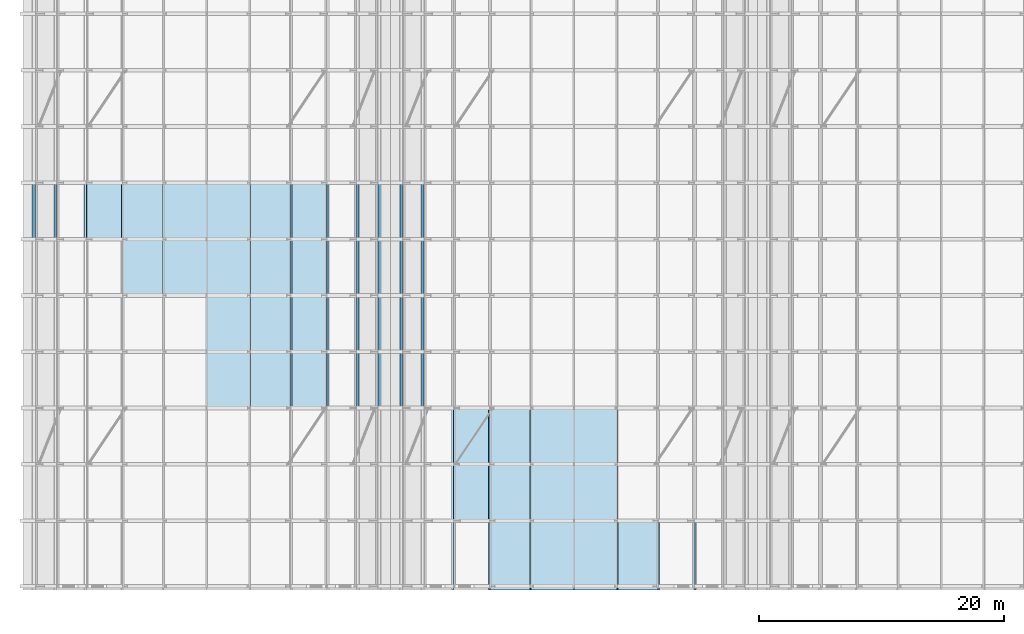
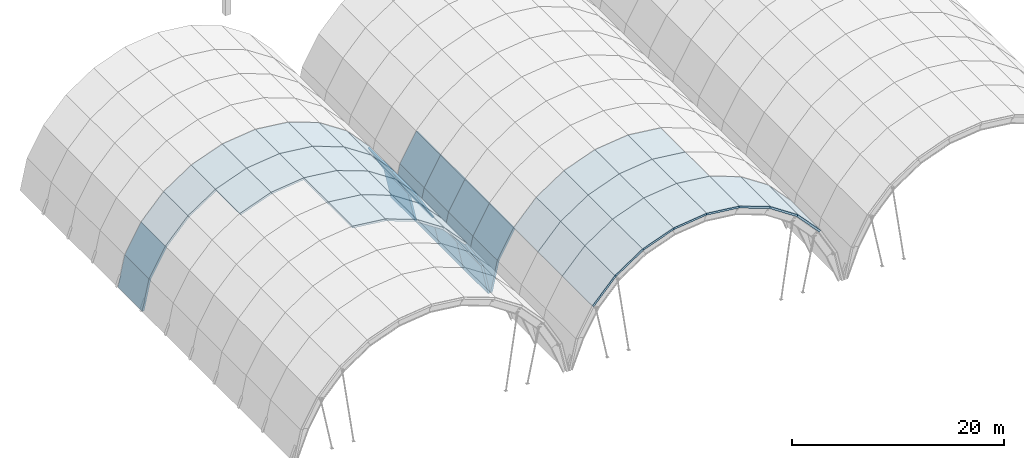
# One storey, part 20 of 47: 58 slabs, 2 elements without a shape of their own.
"""IFC4 building model written with IfcOpenShell, lengths in metres."""

from ifc_helpers import new_model, si_unit, direction, frame, origin, place, context, subcontext, project, spatial, polyline, outline, extrude, material, layer, layer_set, type_object, element, aggregate, save


model = new_model("IFC4")

# Units and contexts
model_context = context("Model", 3, precision=1e-05, world=origin(), true_north=direction((0.0, 1.0)))
body_context = subcontext(model_context, "Body", "Model", "MODEL_VIEW")
ifc_project = project(units=[si_unit("LENGTHUNIT", "METRE"), si_unit("AREAUNIT", "SQUARE_METRE"), si_unit("VOLUMEUNIT", "CUBIC_METRE"), si_unit("PLANEANGLEUNIT", "RADIAN"), si_unit("MASSUNIT", "GRAM", prefix="KILO")], contexts=[model_context])

# Site, building, storey
site_placement = place(None, origin())
site = spatial("IfcSite", under=ifc_project, at=site_placement, CompositionType="ELEMENT")
building_placement = place(site_placement, origin())
building = spatial("IfcBuilding", under=site, at=building_placement, Name="Muzn Square Opera House", CompositionType="ELEMENT")
storey_placement = place(building_placement, frame((0.0, 0.0, 31.0)))
storey = spatial("IfcBuildingStorey", under=building, at=storey_placement, Name="RF-1", CompositionType="ELEMENT", Elevation=31.0)

# Roof, slabs
ifc_material_1 = material(Name="Patina green copper-zinc standing seam", Category="metal")
roof_type = type_object("IfcRoofType", Name="Barrel Vault Roof Assembly", PredefinedType="BARREL_ROOF", material=ifc_material_1)
roof_1_placement = place(storey_placement, origin())
roof_1 = element("IfcRoof", 1, at=roof_1_placement, inside=storey, type_object=roof_type, Name="West Salon Barrel Vault Roof Assembly", PredefinedType="BARREL_ROOF")
ifc_material_2 = material(Name="Concrete C40/50", Category="concrete")
ifc_layer = layer(ifc_material_2, 0.219970703125, Name="Concrete C40/50", Category="concrete")
ifc_layer_set = layer_set([ifc_layer], Name="Concrete C40/50")
slab_type = type_object("IfcSlabType", Name="Barrel Vault Roof Slab 220mm", PredefinedType="ROOF", material=ifc_layer_set)
slab_1_placement = place(storey_placement, frame((58.0, 35.800048828125, 0.419921875), z_axis=(0.116958923267, 0.0, 0.993136753055), x_axis=(0.993136753055, 0.0, -0.116958923267)))
slab_1 = element("IfcSlab", 2, at=slab_1_placement, type_object=slab_type, Name="Barrel Vault Roof Deck Strip V1-03-F06", PredefinedType="ROOF", context=body_context, shape_type="SweptSolid", body=[
    extrude(outline(polyline([(0.0, 0.0), (3.611210410065154, 0.0), (3.611210410065154, 4.599853515625), (0.0, 4.599853515625), (0.0, 0.0)])), origin(), (0.0, 0.0, -1.0), 0.219970703125),
])
slab_2_placement = place(storey_placement, frame((61.58642578125, 35.800048828125, -0.00244140625), z_axis=(0.344922006795, 0.0, 0.938631348948), x_axis=(0.938631348948, 0.0, -0.344922006795)))
slab_2 = element("IfcSlab", 3, at=slab_2_placement, type_object=slab_type, Name="Barrel Vault Roof Deck Strip V1-03-F07", PredefinedType="ROOF", context=body_context, shape_type="SweptSolid", body=[
    extrude(outline(polyline([(0.0, 0.0), (3.6112670233072075, 0.0), (3.6112670233072075, 4.599853515625), (0.0, 4.599853515625), (0.0, 0.0)])), origin(), (0.0, 0.0, -1.0), 0.219970703125),
])
slab_3_placement = place(storey_placement, frame((64.97607421875, 35.800048828125, -1.248046875), z_axis=(0.553701293488, 0.0, 0.832715364089), x_axis=(0.832715364089, 0.0, -0.553701293488)))
slab_3 = element("IfcSlab", 4, at=slab_3_placement, type_object=slab_type, Name="Barrel Vault Roof Deck Strip V1-03-F08", PredefinedType="ROOF", context=body_context, shape_type="SweptSolid", body=[
    extrude(outline(polyline([(0.0, 0.0), (3.611174007116638, 0.0), (3.611174007116638, 4.599853515625), (0.0, 4.599853515625), (0.0, 0.0)])), origin(), (0.0, 0.0, -1.0), 0.219970703125),
])
slab_4_placement = place(storey_placement, frame((67.983154296875, 35.800048828125, -3.24755859375), z_axis=(0.732198498352, 0.0, 0.681091300055), x_axis=(0.681091300055, 0.0, -0.732198498352)))
slab_4 = element("IfcSlab", 5, at=slab_4_placement, type_object=slab_type, Name="Barrel Vault Roof Deck Strip V1-03-F09", PredefinedType="ROOF", context=body_context, shape_type="SweptSolid", body=[
    extrude(outline(polyline([(0.0, 0.0), (3.611434761647482, 0.0), (3.611434761647482, 4.599853515625), (0.0, 4.599853515625), (0.0, 0.0)])), origin(), (0.0, 0.0, -1.0), 0.219970703125),
])
slab_5_placement = place(storey_placement, frame((70.44287109375, 35.800048828125, -5.891845703125), z_axis=(0.870542692247, 0.0, 0.492092898724), x_axis=(0.492092898724, 0.0, -0.870542692247)))
slab_5 = element("IfcSlab", 6, at=slab_5_placement, type_object=slab_type, Name="Barrel Vault Roof Deck Strip V1-03-F10", PredefinedType="ROOF", context=body_context, shape_type="SweptSolid", body=[
    extrude(outline(polyline([(0.0, 0.0), (3.611309193818898, 0.0), (3.611309193818898, 4.599853515625), (0.0, 4.599853515625), (0.0, 0.0)])), origin(), (0.0, 0.0, -1.0), 0.219970703125),
])
slab_6_placement = place(storey_placement, frame((72.219970703125, 35.800048828125, -9.03564453125), z_axis=(0.97702538959, 0.0, 0.213122941272), x_axis=(0.213122941272, 0.0, -0.97702538959)))
slab_6 = element("IfcSlab", 7, at=slab_6_placement, type_object=slab_type, Name="Barrel Vault Roof Deck Strip V1-03-F11", PredefinedType="ROOF", context=body_context, shape_type="SweptSolid", body=[
    extrude(outline(polyline([(0.0, 0.0), (3.5523162058829336, 0.0), (3.5523162058829336, 4.599853515625), (0.0, 4.599853515625), (0.0, 0.0)])), origin(), (0.0, 0.0, -1.0), 0.219970703125),
])
slab_7_placement = place(storey_placement, frame((58.0, 40.39990234375, 0.419921875), z_axis=(0.116958923267, 0.0, 0.993136753055), x_axis=(0.993136753055, 0.0, -0.116958923267)))
slab_7 = element("IfcSlab", 8, at=slab_7_placement, type_object=slab_type, Name="Barrel Vault Roof Deck Strip V1-04-F06", PredefinedType="ROOF", context=body_context, shape_type="SweptSolid", body=[
    extrude(outline(polyline([(0.0, 0.0), (3.611210410065154, 0.0), (3.611210410065154, 4.60009765625), (0.0, 4.60009765625), (0.0, 0.0)])), origin(), (0.0, 0.0, -1.0), 0.219970703125),
])
slab_8_placement = place(storey_placement, frame((61.58642578125, 40.39990234375, -0.00244140625), z_axis=(0.344922006795, 0.0, 0.938631348948), x_axis=(0.938631348948, 0.0, -0.344922006795)))
slab_8 = element("IfcSlab", 9, at=slab_8_placement, type_object=slab_type, Name="Barrel Vault Roof Deck Strip V1-04-F07", PredefinedType="ROOF", context=body_context, shape_type="SweptSolid", body=[
    extrude(outline(polyline([(0.0, 0.0), (3.6112670233072075, 0.0), (3.6112670233072075, 4.60009765625), (0.0, 4.60009765625), (0.0, 0.0)])), origin(), (0.0, 0.0, -1.0), 0.219970703125),
])
slab_9_placement = place(storey_placement, frame((64.97607421875, 40.39990234375, -1.248046875), z_axis=(0.553701293488, 0.0, 0.832715364089), x_axis=(0.832715364089, 0.0, -0.553701293488)))
slab_9 = element("IfcSlab", 10, at=slab_9_placement, type_object=slab_type, Name="Barrel Vault Roof Deck Strip V1-04-F08", PredefinedType="ROOF", context=body_context, shape_type="SweptSolid", body=[
    extrude(outline(polyline([(0.0, 0.0), (3.611174007116638, 0.0), (3.611174007116638, 4.600097656249999), (0.0, 4.600097656249999), (0.0, 0.0)])), origin(), (0.0, 0.0, -1.0), 0.219970703125),
])
slab_10_placement = place(storey_placement, frame((67.983154296875, 40.39990234375, -3.24755859375), z_axis=(0.732198498352, 0.0, 0.681091300055), x_axis=(0.681091300055, 0.0, -0.732198498352)))
slab_10 = element("IfcSlab", 11, at=slab_10_placement, type_object=slab_type, Name="Barrel Vault Roof Deck Strip V1-04-F09", PredefinedType="ROOF", context=body_context, shape_type="SweptSolid", body=[
    extrude(outline(polyline([(0.0, 0.0), (3.611434761647482, 0.0), (3.611434761647482, 4.600097656250001), (0.0, 4.600097656250001), (0.0, 0.0)])), origin(), (0.0, 0.0, -1.0), 0.219970703125),
])
slab_11_placement = place(storey_placement, frame((70.44287109375, 40.39990234375, -5.891845703125), z_axis=(0.870542692247, 0.0, 0.492092898724), x_axis=(0.492092898724, 0.0, -0.870542692247)))
slab_11 = element("IfcSlab", 12, at=slab_11_placement, type_object=slab_type, Name="Barrel Vault Roof Deck Strip V1-04-F10", PredefinedType="ROOF", context=body_context, shape_type="SweptSolid", body=[
    extrude(outline(polyline([(0.0, 0.0), (3.611309193818898, 0.0), (3.611309193818898, 4.60009765625), (0.0, 4.60009765625), (0.0, 0.0)])), origin(), (0.0, 0.0, -1.0), 0.219970703125),
])
slab_12_placement = place(storey_placement, frame((72.219970703125, 40.39990234375, -9.03564453125), z_axis=(0.97702538959, 0.0, 0.213122941272), x_axis=(0.213122941272, 0.0, -0.97702538959)))
slab_12 = element("IfcSlab", 13, at=slab_12_placement, type_object=slab_type, Name="Barrel Vault Roof Deck Strip V1-04-F11", PredefinedType="ROOF", context=body_context, shape_type="SweptSolid", body=[
    extrude(outline(polyline([(0.0, 0.0), (3.5523162058829336, 0.0), (3.5523162058829336, 4.60009765625), (0.0, 4.60009765625), (0.0, 0.0)])), origin(), (0.0, 0.0, -1.0), 0.219970703125),
])
slab_13_placement = place(storey_placement, frame((54.41357421875, 45.0, -0.00244140625), z_axis=(-0.344922006795, 0.0, 0.938631348948), x_axis=(0.0, 1.0, 0.0)))
slab_13 = element("IfcSlab", 14, at=slab_13_placement, type_object=slab_type, Name="Barrel Vault Roof Deck Strip V1-05-F04", PredefinedType="ROOF", context=body_context, shape_type="SweptSolid", body=[
    extrude(outline(polyline([(0.0, 3.6112670233072075), (0.0, 0.0), (4.60009765625, 0.0), (4.60009765625, 3.6112670233072075), (0.0, 3.6112670233072075)])), origin(), (0.0, 0.0, -1.0), 0.219970703125),
])
slab_14_placement = place(storey_placement, frame((58.0, 45.0, 0.419921875), z_axis=(-0.116958923267, 0.0, 0.993136753055), x_axis=(0.0, 1.0, 0.0)))
slab_14 = element("IfcSlab", 15, at=slab_14_placement, type_object=slab_type, Name="Barrel Vault Roof Deck Strip V1-05-F05", PredefinedType="ROOF", context=body_context, shape_type="SweptSolid", body=[
    extrude(outline(polyline([(0.0, 3.611210410065154), (0.0, 0.0), (4.60009765625, 0.0), (4.60009765625, 3.611210410065154), (0.0, 3.611210410065154)])), origin(), (0.0, 0.0, -1.0), 0.219970703125),
])
slab_15_placement = place(storey_placement, frame((58.0, 45.0, 0.419921875), z_axis=(0.116958923267, 0.0, 0.993136753055), x_axis=(0.993136753055, 0.0, -0.116958923267)))
slab_15 = element("IfcSlab", 16, at=slab_15_placement, type_object=slab_type, Name="Barrel Vault Roof Deck Strip V1-05-F06", PredefinedType="ROOF", context=body_context, shape_type="SweptSolid", body=[
    extrude(outline(polyline([(0.0, 0.0), (3.611210410065154, 0.0), (3.611210410065154, 4.60009765625), (0.0, 4.60009765625), (0.0, 0.0)])), origin(), (0.0, 0.0, -1.0), 0.219970703125),
])
slab_16_placement = place(storey_placement, frame((61.58642578125, 45.0, -0.00244140625), z_axis=(0.344922006795, 0.0, 0.938631348948), x_axis=(0.938631348948, 0.0, -0.344922006795)))
slab_16 = element("IfcSlab", 17, at=slab_16_placement, type_object=slab_type, Name="Barrel Vault Roof Deck Strip V1-05-F07", PredefinedType="ROOF", context=body_context, shape_type="SweptSolid", body=[
    extrude(outline(polyline([(0.0, 0.0), (3.6112670233072075, 0.0), (3.6112670233072075, 4.60009765625), (0.0, 4.60009765625), (0.0, 0.0)])), origin(), (0.0, 0.0, -1.0), 0.219970703125),
])
slab_17_placement = place(storey_placement, frame((64.97607421875, 45.0, -1.248046875), z_axis=(0.553701293488, 0.0, 0.832715364089), x_axis=(0.832715364089, 0.0, -0.553701293488)))
slab_17 = element("IfcSlab", 18, at=slab_17_placement, type_object=slab_type, Name="Barrel Vault Roof Deck Strip V1-05-F08", PredefinedType="ROOF", context=body_context, shape_type="SweptSolid", body=[
    extrude(outline(polyline([(0.0, 0.0), (3.611174007116638, 0.0), (3.611174007116638, 4.600097656249999), (0.0, 4.600097656249999), (0.0, 0.0)])), origin(), (0.0, 0.0, -1.0), 0.219970703125),
])
slab_18_placement = place(storey_placement, frame((67.983154296875, 45.0, -3.24755859375), z_axis=(0.732198498352, 0.0, 0.681091300055), x_axis=(0.681091300055, 0.0, -0.732198498352)))
slab_18 = element("IfcSlab", 19, at=slab_18_placement, type_object=slab_type, Name="Barrel Vault Roof Deck Strip V1-05-F09", PredefinedType="ROOF", context=body_context, shape_type="SweptSolid", body=[
    extrude(outline(polyline([(0.0, 0.0), (3.611434761647482, 0.0), (3.611434761647482, 4.600097656250001), (0.0, 4.600097656250001), (0.0, 0.0)])), origin(), (0.0, 0.0, -1.0), 0.219970703125),
])
slab_19_placement = place(storey_placement, frame((70.44287109375, 45.0, -5.891845703125), z_axis=(0.870542692247, 0.0, 0.492092898724), x_axis=(0.492092898724, 0.0, -0.870542692247)))
slab_19 = element("IfcSlab", 20, at=slab_19_placement, type_object=slab_type, Name="Barrel Vault Roof Deck Strip V1-05-F10", PredefinedType="ROOF", context=body_context, shape_type="SweptSolid", body=[
    extrude(outline(polyline([(0.0, 0.0), (3.611309193818898, 0.0), (3.611309193818898, 4.60009765625), (0.0, 4.60009765625), (0.0, 0.0)])), origin(), (0.0, 0.0, -1.0), 0.219970703125),
])
slab_20_placement = place(storey_placement, frame((72.219970703125, 45.0, -9.03564453125), z_axis=(0.97702538959, 0.0, 0.213122941272), x_axis=(0.213122941272, 0.0, -0.97702538959)))
slab_20 = element("IfcSlab", 21, at=slab_20_placement, type_object=slab_type, Name="Barrel Vault Roof Deck Strip V1-05-F11", PredefinedType="ROOF", context=body_context, shape_type="SweptSolid", body=[
    extrude(outline(polyline([(0.0, 0.0), (3.5523162058829336, 0.0), (3.5523162058829336, 4.60009765625), (0.0, 4.60009765625), (0.0, 0.0)])), origin(), (0.0, 0.0, -1.0), 0.219970703125),
])
slab_21_placement = place(storey_placement, frame((43.780029296875, 49.60009765625, -9.03564453125), z_axis=(-0.97702538959, 0.0, 0.213122941272), x_axis=(0.0, 1.0, 0.0)))
slab_21 = element("IfcSlab", 22, at=slab_21_placement, type_object=slab_type, Name="Barrel Vault Roof Deck Strip V1-06-F00", PredefinedType="ROOF", context=body_context, shape_type="SweptSolid", body=[
    extrude(outline(polyline([(0.0, 3.5523162058829336), (0.0, 0.0), (4.599853515625, 0.0), (4.599853515625, 3.5523162058829336), (0.0, 3.5523162058829336)])), origin(), (0.0, 0.0, -1.0), 0.219970703125),
])
slab_22_placement = place(storey_placement, frame((45.55712890625, 49.60009765625, -5.891845703125), z_axis=(-0.870542692247, 0.0, 0.492092898724), x_axis=(0.0, 1.0, 0.0)))
slab_22 = element("IfcSlab", 23, at=slab_22_placement, type_object=slab_type, Name="Barrel Vault Roof Deck Strip V1-06-F01", PredefinedType="ROOF", context=body_context, shape_type="SweptSolid", body=[
    extrude(outline(polyline([(0.0, 3.611309193818898), (0.0, 0.0), (4.599853515625, 0.0), (4.599853515625, 3.611309193818898), (0.0, 3.611309193818898)])), origin(), (0.0, 0.0, -1.0), 0.219970703125),
])
slab_23_placement = place(storey_placement, frame((48.016845703125, 49.60009765625, -3.24755859375), z_axis=(-0.732198498352, 0.0, 0.681091300055), x_axis=(0.0, 1.0, 0.0)))
slab_23 = element("IfcSlab", 24, at=slab_23_placement, type_object=slab_type, Name="Barrel Vault Roof Deck Strip V1-06-F02", PredefinedType="ROOF", context=body_context, shape_type="SweptSolid", body=[
    extrude(outline(polyline([(0.0, 3.6114347616474816), (0.0, 0.0), (4.599853515625, 0.0), (4.599853515625, 3.6114347616474816), (0.0, 3.6114347616474816)])), origin(), (0.0, 0.0, -1.0), 0.219970703125),
])
slab_24_placement = place(storey_placement, frame((51.02392578125, 49.60009765625, -1.248046875), z_axis=(-0.553701293488, 0.0, 0.832715364089), x_axis=(0.0, 1.0, 0.0)))
slab_24 = element("IfcSlab", 25, at=slab_24_placement, type_object=slab_type, Name="Barrel Vault Roof Deck Strip V1-06-F03", PredefinedType="ROOF", context=body_context, shape_type="SweptSolid", body=[
    extrude(outline(polyline([(0.0, 3.6111740071166376), (0.0, 0.0), (4.599853515625, 0.0), (4.599853515625, 3.6111740071166376), (0.0, 3.6111740071166376)])), origin(), (0.0, 0.0, -1.0), 0.219970703125),
])
slab_25_placement = place(storey_placement, frame((54.41357421875, 49.60009765625, -0.00244140625), z_axis=(-0.344922006795, 0.0, 0.938631348948), x_axis=(0.0, 1.0, 0.0)))
slab_25 = element("IfcSlab", 26, at=slab_25_placement, type_object=slab_type, Name="Barrel Vault Roof Deck Strip V1-06-F04", PredefinedType="ROOF", context=body_context, shape_type="SweptSolid", body=[
    extrude(outline(polyline([(0.0, 3.6112670233072075), (0.0, 0.0), (4.599853515625, 0.0), (4.599853515625, 3.6112670233072075), (0.0, 3.6112670233072075)])), origin(), (0.0, 0.0, -1.0), 0.219970703125),
])
slab_26_placement = place(storey_placement, frame((58.0, 49.60009765625, 0.419921875), z_axis=(-0.116958923267, 0.0, 0.993136753055), x_axis=(0.0, 1.0, 0.0)))
slab_26 = element("IfcSlab", 27, at=slab_26_placement, type_object=slab_type, Name="Barrel Vault Roof Deck Strip V1-06-F05", PredefinedType="ROOF", context=body_context, shape_type="SweptSolid", body=[
    extrude(outline(polyline([(0.0, 3.611210410065154), (0.0, 0.0), (4.599853515625, 0.0), (4.599853515625, 3.611210410065154), (0.0, 3.611210410065154)])), origin(), (0.0, 0.0, -1.0), 0.219970703125),
])
slab_27_placement = place(storey_placement, frame((58.0, 49.60009765625, 0.419921875), z_axis=(0.116958923267, 0.0, 0.993136753055), x_axis=(0.993136753055, 0.0, -0.116958923267)))
slab_27 = element("IfcSlab", 28, at=slab_27_placement, type_object=slab_type, Name="Barrel Vault Roof Deck Strip V1-06-F06", PredefinedType="ROOF", context=body_context, shape_type="SweptSolid", body=[
    extrude(outline(polyline([(0.0, 0.0), (3.611210410065154, 0.0), (3.611210410065154, 4.599853515625), (0.0, 4.599853515625), (0.0, 0.0)])), origin(), (0.0, 0.0, -1.0), 0.219970703125),
])
slab_28_placement = place(storey_placement, frame((61.58642578125, 49.60009765625, -0.00244140625), z_axis=(0.344922006795, 0.0, 0.938631348948), x_axis=(0.938631348948, 0.0, -0.344922006795)))
slab_28 = element("IfcSlab", 29, at=slab_28_placement, type_object=slab_type, Name="Barrel Vault Roof Deck Strip V1-06-F07", PredefinedType="ROOF", context=body_context, shape_type="SweptSolid", body=[
    extrude(outline(polyline([(0.0, 0.0), (3.6112670233072075, 0.0), (3.6112670233072075, 4.599853515625), (0.0, 4.599853515625), (0.0, 0.0)])), origin(), (0.0, 0.0, -1.0), 0.219970703125),
])
slab_29_placement = place(storey_placement, frame((64.97607421875, 49.60009765625, -1.248046875), z_axis=(0.553701293488, 0.0, 0.832715364089), x_axis=(0.832715364089, 0.0, -0.553701293488)))
slab_29 = element("IfcSlab", 30, at=slab_29_placement, type_object=slab_type, Name="Barrel Vault Roof Deck Strip V1-06-F08", PredefinedType="ROOF", context=body_context, shape_type="SweptSolid", body=[
    extrude(outline(polyline([(0.0, 0.0), (3.611174007116638, 0.0), (3.611174007116638, 4.599853515625), (0.0, 4.599853515625), (0.0, 0.0)])), origin(), (0.0, 0.0, -1.0), 0.219970703125),
])
slab_30_placement = place(storey_placement, frame((67.983154296875, 49.60009765625, -3.24755859375), z_axis=(0.732198498352, 0.0, 0.681091300055), x_axis=(0.681091300055, 0.0, -0.732198498352)))
slab_30 = element("IfcSlab", 31, at=slab_30_placement, type_object=slab_type, Name="Barrel Vault Roof Deck Strip V1-06-F09", PredefinedType="ROOF", context=body_context, shape_type="SweptSolid", body=[
    extrude(outline(polyline([(0.0, 0.0), (3.611434761647482, 0.0), (3.611434761647482, 4.599853515625), (0.0, 4.599853515625), (0.0, 0.0)])), origin(), (0.0, 0.0, -1.0), 0.219970703125),
])
slab_31_placement = place(storey_placement, frame((70.44287109375, 49.60009765625, -5.891845703125), z_axis=(0.870542692247, 0.0, 0.492092898724), x_axis=(0.492092898724, 0.0, -0.870542692247)))
slab_31 = element("IfcSlab", 32, at=slab_31_placement, type_object=slab_type, Name="Barrel Vault Roof Deck Strip V1-06-F10", PredefinedType="ROOF", context=body_context, shape_type="SweptSolid", body=[
    extrude(outline(polyline([(0.0, 0.0), (3.611309193818898, 0.0), (3.611309193818898, 4.599853515625), (0.0, 4.599853515625), (0.0, 0.0)])), origin(), (0.0, 0.0, -1.0), 0.219970703125),
])
slab_32_placement = place(storey_placement, frame((72.219970703125, 49.60009765625, -9.03564453125), z_axis=(0.97702538959, 0.0, 0.213122941272), x_axis=(0.213122941272, 0.0, -0.97702538959)))
slab_32 = element("IfcSlab", 33, at=slab_32_placement, type_object=slab_type, Name="Barrel Vault Roof Deck Strip V1-06-F11", PredefinedType="ROOF", context=body_context, shape_type="SweptSolid", body=[
    extrude(outline(polyline([(0.0, 0.0), (3.5523162058829336, 0.0), (3.5523162058829336, 4.599853515625), (0.0, 4.599853515625), (0.0, 0.0)])), origin(), (0.0, 0.0, -1.0), 0.219970703125),
])
aggregate(roof_1, [slab_1, slab_2, slab_3, slab_4, slab_5, slab_6, slab_7, slab_8, slab_9, slab_10, slab_11, slab_12, slab_13, slab_14, slab_15, slab_16, slab_17, slab_18, slab_19, slab_20, slab_21, slab_22, slab_23, slab_24, slab_25, slab_26, slab_27, slab_28, slab_29, slab_30, slab_31, slab_32])

roof_2_placement = place(storey_placement, origin())
roof_2 = element("IfcRoof", 34, at=roof_2_placement, inside=storey, type_object=roof_type, Name="Grand Auditorium Barrel Vault Roof Assembly", PredefinedType="BARREL_ROOF")
slab_33_placement = place(storey_placement, frame((78.016845703125, 20.949951171875, -3.24755859375), z_axis=(-0.732198498352, 0.0, 0.681091300055), x_axis=(0.0, 1.0, 0.0)))
slab_33 = element("IfcSlab", 35, at=slab_33_placement, type_object=slab_type, Name="Barrel Vault Roof Deck Strip V2-00-F02", PredefinedType="ROOF", context=body_context, shape_type="SweptSolid", body=[
    extrude(outline(polyline([(0.0, 3.6114347616474816), (0.0, 0.0), (5.650146484375, 0.0), (5.650146484375, 3.6114347616474816), (0.0, 3.6114347616474816)])), origin(), (0.0, 0.0, -1.0), 0.219970703125),
])
slab_34_placement = place(storey_placement, frame((81.02392578125, 20.949951171875, -1.248046875), z_axis=(-0.553701293488, 0.0, 0.832715364089), x_axis=(0.0, 1.0, 0.0)))
slab_34 = element("IfcSlab", 36, at=slab_34_placement, type_object=slab_type, Name="Barrel Vault Roof Deck Strip V2-00-F03", PredefinedType="ROOF", context=body_context, shape_type="SweptSolid", body=[
    extrude(outline(polyline([(0.0, 3.6111740071166376), (0.0, 0.0), (5.650146484375, 0.0), (5.650146484375, 3.6111740071166376), (0.0, 3.6111740071166376)])), origin(), (0.0, 0.0, -1.0), 0.219970703125),
])
slab_35_placement = place(storey_placement, frame((84.41357421875, 20.949951171875, -0.00244140625), z_axis=(-0.344922006795, 0.0, 0.938631348948), x_axis=(0.0, 1.0, 0.0)))
slab_35 = element("IfcSlab", 37, at=slab_35_placement, type_object=slab_type, Name="Barrel Vault Roof Deck Strip V2-00-F04", PredefinedType="ROOF", context=body_context, shape_type="SweptSolid", body=[
    extrude(outline(polyline([(0.0, 3.6112670233072075), (0.0, 0.0), (5.650146484375, 0.0), (5.650146484375, 3.6112670233072075), (0.0, 3.6112670233072075)])), origin(), (0.0, 0.0, -1.0), 0.219970703125),
])
slab_36_placement = place(storey_placement, frame((88.0, 20.949951171875, 0.419921875), z_axis=(-0.116958923267, 0.0, 0.993136753055), x_axis=(0.0, 1.0, 0.0)))
slab_36 = element("IfcSlab", 38, at=slab_36_placement, type_object=slab_type, Name="Barrel Vault Roof Deck Strip V2-00-F05", PredefinedType="ROOF", context=body_context, shape_type="SweptSolid", body=[
    extrude(outline(polyline([(0.0, 3.611210410065154), (0.0, 0.0), (5.650146484375, 0.0), (5.650146484375, 3.611210410065154), (0.0, 3.611210410065154)])), origin(), (0.0, 0.0, -1.0), 0.219970703125),
])
slab_37_placement = place(storey_placement, frame((88.0, 20.949951171875, 0.419921875), z_axis=(0.116958923267, 0.0, 0.993136753055), x_axis=(0.993136753055, 0.0, -0.116958923267)))
slab_37 = element("IfcSlab", 39, at=slab_37_placement, type_object=slab_type, Name="Barrel Vault Roof Deck Strip V2-00-F06", PredefinedType="ROOF", context=body_context, shape_type="SweptSolid", body=[
    extrude(outline(polyline([(0.0, 0.0), (3.611210410065154, 0.0), (3.611210410065154, 5.650146484375), (0.0, 5.650146484375), (0.0, 0.0)])), origin(), (0.0, 0.0, -1.0), 0.219970703125),
])
slab_38_placement = place(storey_placement, frame((91.58642578125, 20.949951171875, -0.00244140625), z_axis=(0.344922006795, 0.0, 0.938631348948), x_axis=(0.938631348948, 0.0, -0.344922006795)))
slab_38 = element("IfcSlab", 40, at=slab_38_placement, type_object=slab_type, Name="Barrel Vault Roof Deck Strip V2-00-F07", PredefinedType="ROOF", context=body_context, shape_type="SweptSolid", body=[
    extrude(outline(polyline([(0.0, 0.0), (3.6112670233072075, 0.0), (3.6112670233072075, 5.650146484375), (0.0, 5.650146484375), (0.0, 0.0)])), origin(), (0.0, 0.0, -1.0), 0.219970703125),
])
slab_39_placement = place(storey_placement, frame((94.97607421875, 20.949951171875, -1.248046875), z_axis=(0.553701293488, 0.0, 0.832715364089), x_axis=(0.832715364089, 0.0, -0.553701293488)))
slab_39 = element("IfcSlab", 41, at=slab_39_placement, type_object=slab_type, Name="Barrel Vault Roof Deck Strip V2-00-F08", PredefinedType="ROOF", context=body_context, shape_type="SweptSolid", body=[
    extrude(outline(polyline([(0.0, 0.0), (3.611174007116638, 0.0), (3.611174007116638, 5.650146484375), (0.0, 5.650146484375), (0.0, 0.0)])), origin(), (0.0, 0.0, -1.0), 0.219970703125),
])
slab_40_placement = place(storey_placement, frame((97.983154296875, 20.949951171875, -3.24755859375), z_axis=(0.732198498352, 0.0, 0.681091300055), x_axis=(0.681091300055, 0.0, -0.732198498352)))
slab_40 = element("IfcSlab", 42, at=slab_40_placement, type_object=slab_type, Name="Barrel Vault Roof Deck Strip V2-00-F09", PredefinedType="ROOF", context=body_context, shape_type="SweptSolid", body=[
    extrude(outline(polyline([(0.0, 0.0), (3.611434761647482, 0.0), (3.611434761647482, 5.650146484375), (0.0, 5.650146484375), (0.0, 0.0)])), origin(), (0.0, 0.0, -1.0), 0.219970703125),
])
slab_41_placement = place(storey_placement, frame((78.016845703125, 26.60009765625, -3.24755859375), z_axis=(-0.732198498352, 0.0, 0.681091300055), x_axis=(0.0, 1.0, 0.0)))
slab_41 = element("IfcSlab", 43, at=slab_41_placement, type_object=slab_type, Name="Barrel Vault Roof Deck Strip V2-01-F02", PredefinedType="ROOF", context=body_context, shape_type="SweptSolid", body=[
    extrude(outline(polyline([(0.0, 3.6114347616474816), (0.0, 0.0), (4.599853515625, 0.0), (4.599853515625, 3.6114347616474816), (0.0, 3.6114347616474816)])), origin(), (0.0, 0.0, -1.0), 0.219970703125),
])
slab_42_placement = place(storey_placement, frame((81.02392578125, 26.60009765625, -1.248046875), z_axis=(-0.553701293488, 0.0, 0.832715364089), x_axis=(0.0, 1.0, 0.0)))
slab_42 = element("IfcSlab", 44, at=slab_42_placement, type_object=slab_type, Name="Barrel Vault Roof Deck Strip V2-01-F03", PredefinedType="ROOF", context=body_context, shape_type="SweptSolid", body=[
    extrude(outline(polyline([(0.0, 3.6111740071166376), (0.0, 0.0), (4.599853515625, 0.0), (4.599853515625, 3.6111740071166376), (0.0, 3.6111740071166376)])), origin(), (0.0, 0.0, -1.0), 0.219970703125),
])
slab_43_placement = place(storey_placement, frame((84.41357421875, 26.60009765625, -0.00244140625), z_axis=(-0.344922006795, 0.0, 0.938631348948), x_axis=(0.0, 1.0, 0.0)))
slab_43 = element("IfcSlab", 45, at=slab_43_placement, type_object=slab_type, Name="Barrel Vault Roof Deck Strip V2-01-F04", PredefinedType="ROOF", context=body_context, shape_type="SweptSolid", body=[
    extrude(outline(polyline([(0.0, 3.6112670233072075), (0.0, 0.0), (4.599853515625, 0.0), (4.599853515625, 3.6112670233072075), (0.0, 3.6112670233072075)])), origin(), (0.0, 0.0, -1.0), 0.219970703125),
])
slab_44_placement = place(storey_placement, frame((88.0, 26.60009765625, 0.419921875), z_axis=(-0.116958923267, 0.0, 0.993136753055), x_axis=(0.0, 1.0, 0.0)))
slab_44 = element("IfcSlab", 46, at=slab_44_placement, type_object=slab_type, Name="Barrel Vault Roof Deck Strip V2-01-F05", PredefinedType="ROOF", context=body_context, shape_type="SweptSolid", body=[
    extrude(outline(polyline([(0.0, 3.611210410065154), (0.0, 0.0), (4.599853515625, 0.0), (4.599853515625, 3.611210410065154), (0.0, 3.611210410065154)])), origin(), (0.0, 0.0, -1.0), 0.219970703125),
])
slab_45_placement = place(storey_placement, frame((88.0, 26.60009765625, 0.419921875), z_axis=(0.116958923267, 0.0, 0.993136753055), x_axis=(0.993136753055, 0.0, -0.116958923267)))
slab_45 = element("IfcSlab", 47, at=slab_45_placement, type_object=slab_type, Name="Barrel Vault Roof Deck Strip V2-01-F06", PredefinedType="ROOF", context=body_context, shape_type="SweptSolid", body=[
    extrude(outline(polyline([(0.0, 0.0), (3.611210410065154, 0.0), (3.611210410065154, 4.599853515625), (0.0, 4.599853515625), (0.0, 0.0)])), origin(), (0.0, 0.0, -1.0), 0.219970703125),
])
slab_46_placement = place(storey_placement, frame((78.016845703125, 31.199951171875, -3.24755859375), z_axis=(-0.732198498352, 0.0, 0.681091300055), x_axis=(0.0, 1.0, 0.0)))
slab_46 = element("IfcSlab", 48, at=slab_46_placement, type_object=slab_type, Name="Barrel Vault Roof Deck Strip V2-02-F02", PredefinedType="ROOF", context=body_context, shape_type="SweptSolid", body=[
    extrude(outline(polyline([(0.0, 3.6114347616474824), (0.0, 0.0), (4.60009765625, 0.0), (4.60009765625, 3.6114347616474824), (0.0, 3.6114347616474824)])), origin(), (0.0, 0.0, -1.0), 0.219970703125),
])
slab_47_placement = place(storey_placement, frame((81.02392578125, 31.199951171875, -1.248046875), z_axis=(-0.553701293488, 0.0, 0.832715364089), x_axis=(0.0, 1.0, 0.0)))
slab_47 = element("IfcSlab", 49, at=slab_47_placement, type_object=slab_type, Name="Barrel Vault Roof Deck Strip V2-02-F03", PredefinedType="ROOF", context=body_context, shape_type="SweptSolid", body=[
    extrude(outline(polyline([(0.0, 3.611174007116637), (0.0, 0.0), (4.60009765625, 0.0), (4.60009765625, 3.611174007116637), (0.0, 3.611174007116637)])), origin(), (0.0, 0.0, -1.0), 0.219970703125),
])
slab_48_placement = place(storey_placement, frame((84.41357421875, 31.199951171875, -0.00244140625), z_axis=(-0.344922006795, 0.0, 0.938631348948), x_axis=(0.0, 1.0, 0.0)))
slab_48 = element("IfcSlab", 50, at=slab_48_placement, type_object=slab_type, Name="Barrel Vault Roof Deck Strip V2-02-F04", PredefinedType="ROOF", context=body_context, shape_type="SweptSolid", body=[
    extrude(outline(polyline([(0.0, 3.6112670233072075), (0.0, 0.0), (4.60009765625, 0.0), (4.60009765625, 3.6112670233072075), (0.0, 3.6112670233072075)])), origin(), (0.0, 0.0, -1.0), 0.219970703125),
])
slab_49_placement = place(storey_placement, frame((88.0, 31.199951171875, 0.419921875), z_axis=(-0.116958923267, 0.0, 0.993136753055), x_axis=(0.0, 1.0, 0.0)))
slab_49 = element("IfcSlab", 51, at=slab_49_placement, type_object=slab_type, Name="Barrel Vault Roof Deck Strip V2-02-F05", PredefinedType="ROOF", context=body_context, shape_type="SweptSolid", body=[
    extrude(outline(polyline([(0.0, 3.611210410065154), (0.0, 0.0), (4.60009765625, 0.0), (4.60009765625, 3.611210410065154), (0.0, 3.611210410065154)])), origin(), (0.0, 0.0, -1.0), 0.219970703125),
])
slab_50_placement = place(storey_placement, frame((88.0, 31.199951171875, 0.419921875), z_axis=(0.116958923267, 0.0, 0.993136753055), x_axis=(0.993136753055, 0.0, -0.116958923267)))
slab_50 = element("IfcSlab", 52, at=slab_50_placement, type_object=slab_type, Name="Barrel Vault Roof Deck Strip V2-02-F06", PredefinedType="ROOF", context=body_context, shape_type="SweptSolid", body=[
    extrude(outline(polyline([(0.0, 0.0), (3.611210410065154, 0.0), (3.611210410065154, 4.60009765625), (0.0, 4.60009765625), (0.0, 0.0)])), origin(), (0.0, 0.0, -1.0), 0.219970703125),
])
slab_51_placement = place(storey_placement, frame((73.780029296875, 35.800048828125, -9.03564453125), z_axis=(-0.97702538959, 0.0, 0.213122941272), x_axis=(0.0, 1.0, 0.0)))
slab_51 = element("IfcSlab", 53, at=slab_51_placement, type_object=slab_type, Name="Barrel Vault Roof Deck Strip V2-03-F00", PredefinedType="ROOF", context=body_context, shape_type="SweptSolid", body=[
    extrude(outline(polyline([(0.0, 3.5523162058829336), (0.0, 0.0), (4.599853515625, 0.0), (4.599853515625, 3.5523162058829336), (0.0, 3.5523162058829336)])), origin(), (0.0, 0.0, -1.0), 0.219970703125),
])
slab_52_placement = place(storey_placement, frame((75.55712890625, 35.800048828125, -5.891845703125), z_axis=(-0.870542692247, 0.0, 0.492092898724), x_axis=(0.0, 1.0, 0.0)))
slab_52 = element("IfcSlab", 54, at=slab_52_placement, type_object=slab_type, Name="Barrel Vault Roof Deck Strip V2-03-F01", PredefinedType="ROOF", context=body_context, shape_type="SweptSolid", body=[
    extrude(outline(polyline([(0.0, 3.611309193818898), (0.0, 0.0), (4.599853515625, 0.0), (4.599853515625, 3.611309193818898), (0.0, 3.611309193818898)])), origin(), (0.0, 0.0, -1.0), 0.219970703125),
])
slab_53_placement = place(storey_placement, frame((73.780029296875, 40.39990234375, -9.03564453125), z_axis=(-0.97702538959, 0.0, 0.213122941272), x_axis=(0.0, 1.0, 0.0)))
slab_53 = element("IfcSlab", 55, at=slab_53_placement, type_object=slab_type, Name="Barrel Vault Roof Deck Strip V2-04-F00", PredefinedType="ROOF", context=body_context, shape_type="SweptSolid", body=[
    extrude(outline(polyline([(0.0, 3.5523162058829336), (0.0, 0.0), (4.60009765625, 0.0), (4.60009765625, 3.5523162058829336), (0.0, 3.5523162058829336)])), origin(), (0.0, 0.0, -1.0), 0.219970703125),
])
slab_54_placement = place(storey_placement, frame((75.55712890625, 40.39990234375, -5.891845703125), z_axis=(-0.870542692247, 0.0, 0.492092898724), x_axis=(0.0, 1.0, 0.0)))
slab_54 = element("IfcSlab", 56, at=slab_54_placement, type_object=slab_type, Name="Barrel Vault Roof Deck Strip V2-04-F01", PredefinedType="ROOF", context=body_context, shape_type="SweptSolid", body=[
    extrude(outline(polyline([(0.0, 3.611309193818898), (0.0, 0.0), (4.60009765625, 0.0), (4.60009765625, 3.611309193818898), (0.0, 3.611309193818898)])), origin(), (0.0, 0.0, -1.0), 0.219970703125),
])
slab_55_placement = place(storey_placement, frame((73.780029296875, 45.0, -9.03564453125), z_axis=(-0.97702538959, 0.0, 0.213122941272), x_axis=(0.0, 1.0, 0.0)))
slab_55 = element("IfcSlab", 57, at=slab_55_placement, type_object=slab_type, Name="Barrel Vault Roof Deck Strip V2-05-F00", PredefinedType="ROOF", context=body_context, shape_type="SweptSolid", body=[
    extrude(outline(polyline([(0.0, 3.5523162058829336), (0.0, 0.0), (4.60009765625, 0.0), (4.60009765625, 3.5523162058829336), (0.0, 3.5523162058829336)])), origin(), (0.0, 0.0, -1.0), 0.219970703125),
])
slab_56_placement = place(storey_placement, frame((75.55712890625, 45.0, -5.891845703125), z_axis=(-0.870542692247, 0.0, 0.492092898724), x_axis=(0.0, 1.0, 0.0)))
slab_56 = element("IfcSlab", 58, at=slab_56_placement, type_object=slab_type, Name="Barrel Vault Roof Deck Strip V2-05-F01", PredefinedType="ROOF", context=body_context, shape_type="SweptSolid", body=[
    extrude(outline(polyline([(0.0, 3.611309193818898), (0.0, 0.0), (4.60009765625, 0.0), (4.60009765625, 3.611309193818898), (0.0, 3.611309193818898)])), origin(), (0.0, 0.0, -1.0), 0.219970703125),
])
slab_57_placement = place(storey_placement, frame((73.780029296875, 49.60009765625, -9.03564453125), z_axis=(-0.97702538959, 0.0, 0.213122941272), x_axis=(0.0, 1.0, 0.0)))
slab_57 = element("IfcSlab", 59, at=slab_57_placement, type_object=slab_type, Name="Barrel Vault Roof Deck Strip V2-06-F00", PredefinedType="ROOF", context=body_context, shape_type="SweptSolid", body=[
    extrude(outline(polyline([(0.0, 3.5523162058829336), (0.0, 0.0), (4.599853515625, 0.0), (4.599853515625, 3.5523162058829336), (0.0, 3.5523162058829336)])), origin(), (0.0, 0.0, -1.0), 0.219970703125),
])
slab_58_placement = place(storey_placement, frame((75.55712890625, 49.60009765625, -5.891845703125), z_axis=(-0.870542692247, 0.0, 0.492092898724), x_axis=(0.0, 1.0, 0.0)))
slab_58 = element("IfcSlab", 60, at=slab_58_placement, type_object=slab_type, Name="Barrel Vault Roof Deck Strip V2-06-F01", PredefinedType="ROOF", context=body_context, shape_type="SweptSolid", body=[
    extrude(outline(polyline([(0.0, 3.611309193818898), (0.0, 0.0), (4.599853515625, 0.0), (4.599853515625, 3.611309193818898), (0.0, 3.611309193818898)])), origin(), (0.0, 0.0, -1.0), 0.219970703125),
])
aggregate(roof_2, [slab_33, slab_34, slab_35, slab_36, slab_37, slab_38, slab_39, slab_40, slab_41, slab_42, slab_43, slab_44, slab_45, slab_46, slab_47, slab_48, slab_49, slab_50, slab_51, slab_52, slab_53, slab_54, slab_55, slab_56, slab_57, slab_58])

save(model, "model.ifc")
